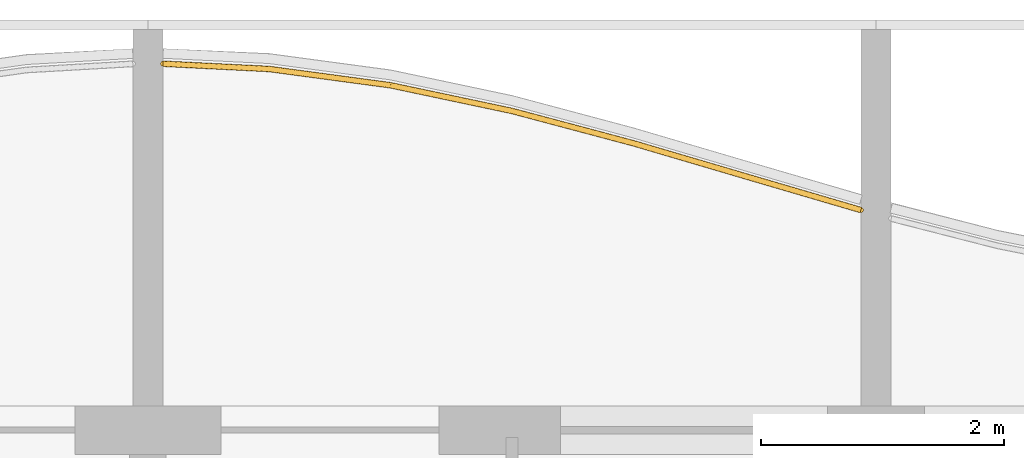
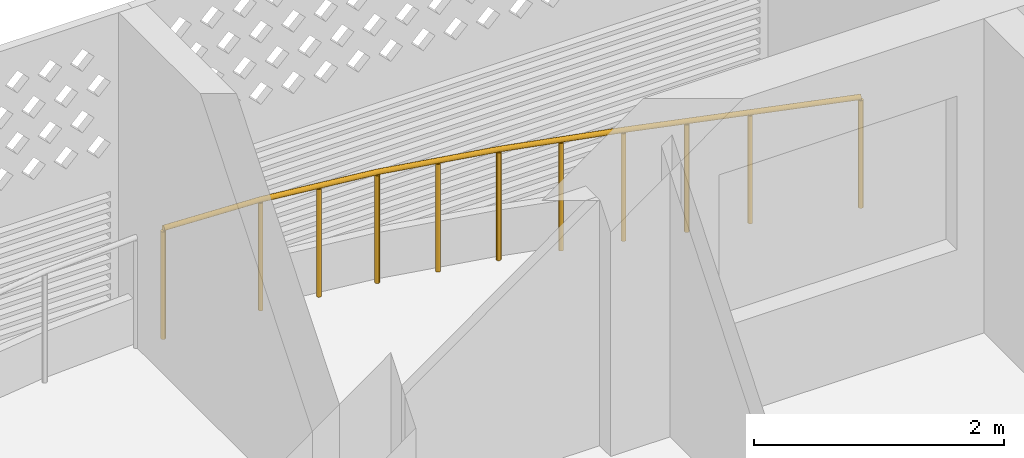
# One storey, part 28 of 31: 1 railing.
"""IFC4 building model written with IfcOpenShell, lengths in metres."""

from ifc_helpers import new_model, si_unit, direction, frame, origin, origin_2d, place, context, subcontext, project, spatial, circle, extrude, material, type_object, element, save


model = new_model("IFC4")

# Units and contexts
model_context = context("Model", 3, precision=1e-05, world=origin(), true_north=direction((0.0, 1.0)))
body_context = subcontext(model_context, "Body", "Model", "MODEL_VIEW")
ifc_project = project(units=[si_unit("LENGTHUNIT", "METRE"), si_unit("AREAUNIT", "SQUARE_METRE"), si_unit("VOLUMEUNIT", "CUBIC_METRE"), si_unit("PLANEANGLEUNIT", "RADIAN"), si_unit("MASSUNIT", "GRAM", prefix="KILO")], contexts=[model_context])

# Site, building, storey
site_placement = place(None, origin())
site = spatial("IfcSite", under=ifc_project, at=site_placement, CompositionType="ELEMENT")
building_placement = place(site_placement, origin())
building = spatial("IfcBuilding", under=site, at=building_placement, Name="Poui Terraces", CompositionType="ELEMENT")
storey_placement = place(building_placement, frame((0.0, 0.0, 148.800048828125)))
storey = spatial("IfcBuildingStorey", under=building, at=storey_placement, Name="L41", CompositionType="ELEMENT", Elevation=148.800048828125)

# Railing
ifc_material = material(Name="Painted steel fretwork", Category="steel")
railing_type = type_object("IfcRailingType", Name="BALCONY GUARD 1100", PredefinedType="GUARDRAIL", material=ifc_material)
railing_placement = place(storey_placement, frame((72.125, 45.419677734375, 0.0)))
element("IfcRailing", 1, at=railing_placement, inside=storey, type_object=railing_type, Name="BALCONY GUARD", PredefinedType="GUARDRAIL", context=body_context, shape_type="SweptSolid", body=[
    extrude(circle(Radius=0.02392578125, at=origin_2d()), frame((0.0, 0.0, 1.076171875), z_axis=(0.998768961938, -0.049604038846, 0.0), x_axis=(0.049604038846, 0.998768961938, 0.0)), (0.0, 0.0, 1.0), 0.8759765625),
    extrude(circle(Radius=0.02392578125, at=origin_2d()), frame((0.875, -0.04345703125, 1.076171875), z_axis=(0.991104904979, -0.133082934018, 0.0), x_axis=(0.133082934018, 0.991104904979, 0.0)), (0.0, 0.0, 1.0), 1.009033203125),
    extrude(circle(Radius=0.02392578125, at=origin_2d()), frame((1.875, -0.177734375, 1.076171875), z_axis=(0.978372019246, -0.206853068522, 0.0), x_axis=(0.206853068522, 0.978372019246, 0.0)), (0.0, 0.0, 1.0), 1.022216796875),
    extrude(circle(Radius=0.02392578125, at=origin_2d()), frame((2.875, -0.38916015625, 1.076171875), z_axis=(0.966367949348, -0.257163345896, 0.0), x_axis=(0.257163345896, 0.966367949348, 0.0)), (0.0, 0.0, 1.0), 1.034912109375),
    extrude(circle(Radius=0.02392578125, at=origin_2d()), frame((3.875, -0.6552734375, 1.076171875), z_axis=(0.959346851742, -0.282229725671, 0.0), x_axis=(0.282229725671, 0.959346851742, 0.0)), (0.0, 0.0, 1.0), 1.04248046875),
    extrude(circle(Radius=0.02392578125, at=origin_2d()), frame((4.875, -0.949462890625, 1.076171875), z_axis=(0.959663427085, -0.281151394654, 0.0), x_axis=(0.281151394654, 0.959663427085, 0.0)), (0.0, 0.0, 1.0), 0.911865234375),
    extrude(circle(Radius=0.02099609375, at=origin_2d()), origin(), (0.0, 0.0, 1.0), 1.052001953125),
    extrude(circle(Radius=0.02099609375, at=origin_2d()), frame((0.875, -0.04345703125, 0.0)), (0.0, 0.0, 1.0), 1.052001953125),
    extrude(circle(Radius=0.02099609375, at=origin_2d()), frame((1.375, -0.110595703125, 0.0)), (0.0, 0.0, 1.0), 1.052001953125),
    extrude(circle(Radius=0.02099609375, at=origin_2d()), frame((1.875, -0.177734375, 0.0)), (0.0, 0.0, 1.0), 1.052001953125),
    extrude(circle(Radius=0.02099609375, at=origin_2d()), frame((2.375, -0.283447265625, 0.0)), (0.0, 0.0, 1.0), 1.052001953125),
    extrude(circle(Radius=0.02099609375, at=origin_2d()), frame((2.875, -0.38916015625, 0.0)), (0.0, 0.0, 1.0), 1.052001953125),
    extrude(circle(Radius=0.02099609375, at=origin_2d()), frame((3.375, -0.522216796875, 0.0)), (0.0, 0.0, 1.0), 1.052001953125),
    extrude(circle(Radius=0.02099609375, at=origin_2d()), frame((3.875, -0.6552734375, 0.0)), (0.0, 0.0, 1.0), 1.052001953125),
    extrude(circle(Radius=0.02099609375, at=origin_2d()), frame((4.375, -0.80224609375, 0.0)), (0.0, 0.0, 1.0), 1.052001953125),
    extrude(circle(Radius=0.02099609375, at=origin_2d()), frame((4.875, -0.949462890625, 0.0)), (0.0, 0.0, 1.0), 1.052001953125),
    extrude(circle(Radius=0.02099609375, at=origin_2d()), frame((5.75, -1.205810546875, 0.0)), (0.0, 0.0, 1.0), 1.052001953125),
])

save(model, "model.ifc")
